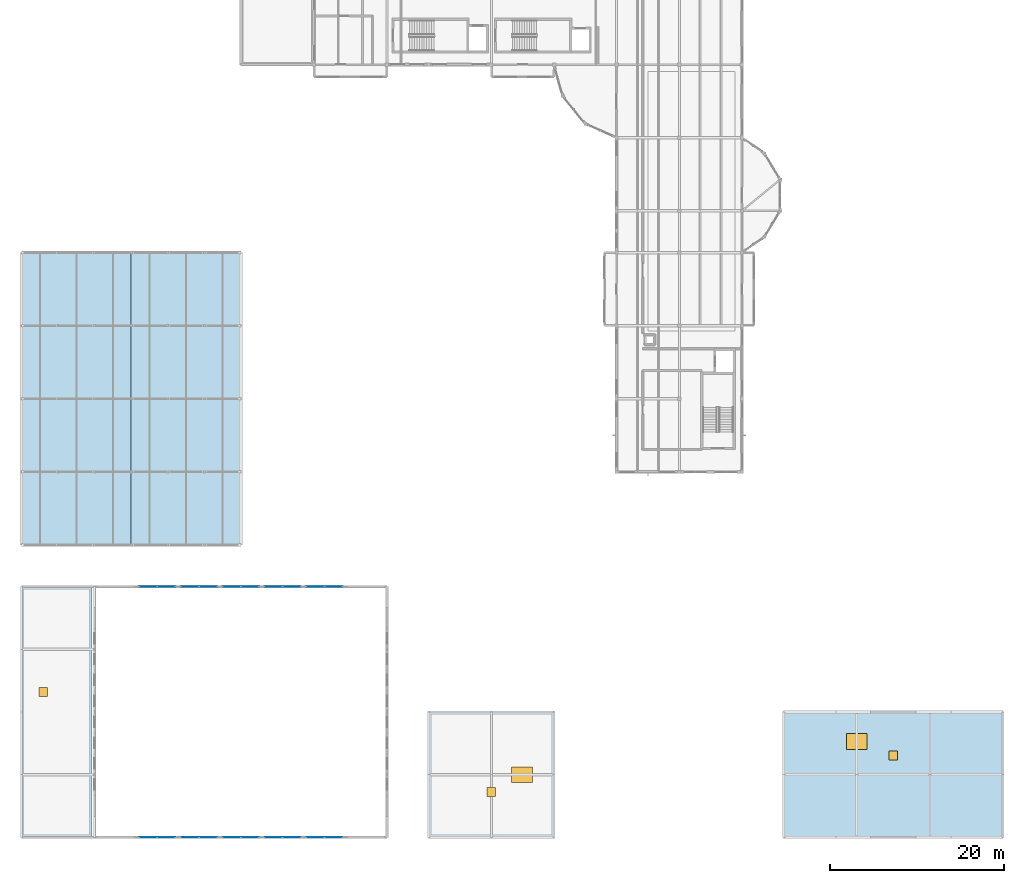
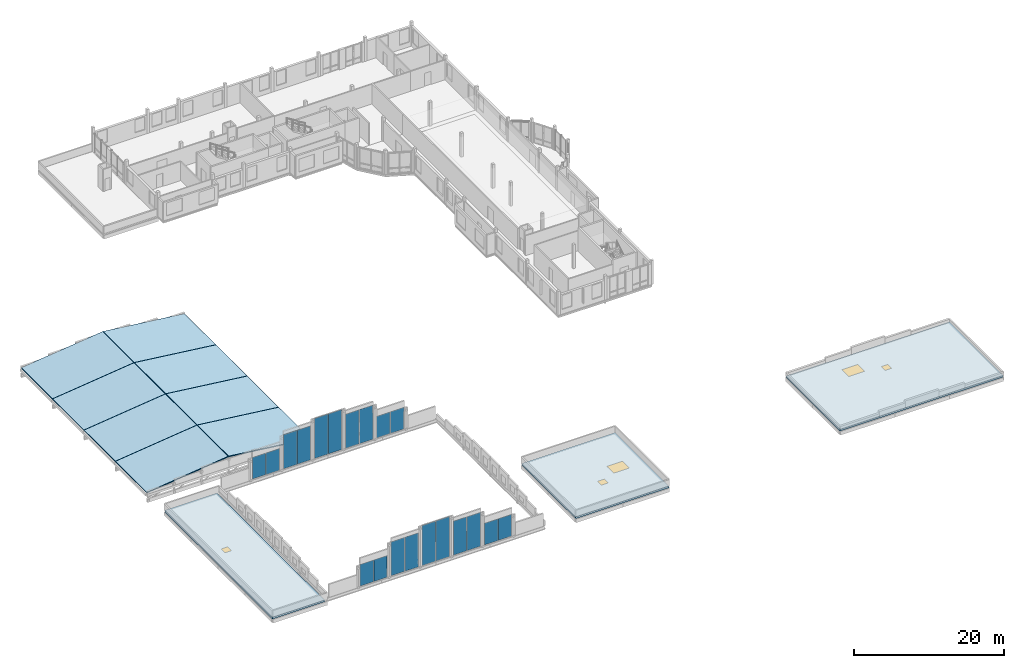
# One storey, part 20 of 34: 20 plates, 11 slabs, 3 doors, 2 windows, 5 openings, 10 elements without a shape of their own.
"""IFC4 building model written with IfcOpenShell, lengths in metres."""

from ifc_helpers import new_model, si_unit, direction, frame, origin, origin_2d, place, context, subcontext, project, spatial, polyline, rectangle, outline, extrude, material, layer, layer_set, type_object, element, fill, aggregate, save


model = new_model("IFC4")

# Units and contexts
model_context = context("Model", 3, precision=1e-05, world=origin(), true_north=direction((0.0, 1.0)))
body_context = subcontext(model_context, "Body", "Model", "MODEL_VIEW")
ifc_project = project(units=[si_unit("LENGTHUNIT", "METRE"), si_unit("AREAUNIT", "SQUARE_METRE"), si_unit("VOLUMEUNIT", "CUBIC_METRE"), si_unit("PLANEANGLEUNIT", "RADIAN"), si_unit("MASSUNIT", "GRAM", prefix="KILO")], contexts=[model_context])

# Site, building, storey
site_placement = place(None, origin())
site = spatial("IfcSite", under=ifc_project, at=site_placement, CompositionType="ELEMENT")
building_placement = place(site_placement, origin())
building = spatial("IfcBuilding", under=site, at=building_placement, Name="Kahlenmark Community Centre", CompositionType="ELEMENT")
storey_placement = place(building_placement, frame((0.0, 0.0, 17.699951171875)))
storey = spatial("IfcBuildingStorey", under=building, at=storey_placement, Name="L04", CompositionType="ELEMENT", Elevation=17.699951171875)

# Curtain wall, plates
ifc_material_1 = material(Name="Anodised aluminium unitised curtain wall", Category="aluminium")
curtain_wall_type_1 = type_object("IfcCurtainWallType", Name="CWT-UNIT-428X366", PredefinedType="USERDEFINED", material=ifc_material_1)
curtain_wall_1_placement = place(storey_placement, origin())
curtain_wall_1 = element("IfcCurtainWall", 1, at=curtain_wall_1_placement, inside=storey, type_object=curtain_wall_type_1, Name="Unitised curtain wall CW-191", ObjectType="UNITISED CURTAIN WALL", PredefinedType="USERDEFINED")
ifc_material_2 = material(Name="Triple low-e solar-control glass unit", Category="glass")
ifc_layer_1 = layer(ifc_material_2, 0.0439453125)
ifc_layer_set_1 = layer_set([ifc_layer_1], Name="Triple low-e solar-control glass unit")
plate_type_1 = type_object("IfcPlateType", Name="PLT-CW-GLZ-2060X3537", PredefinedType="CURTAIN_PANEL", material=ifc_layer_set_1)
plate_1_placement = place(storey_placement, frame((18.530029296875, 8.800048828125, 0.360107421875), z_axis=(0.0, 0.0, 1.0), x_axis=(1.0, 0.0, 0.0)))
plate_1 = element("IfcPlate", 2, at=plate_1_placement, type_object=plate_type_1, Name="CW-191 glazed panel 1", PredefinedType="CURTAIN_PANEL", context=body_context, shape_type="SweptSolid", body=[
    extrude(rectangle(XDim=2.06005859375, YDim=0.0439453125, at=origin_2d()), origin(), (0.0, 0.0, 1.0), 3.537109375),
])
plate_2_placement = place(storey_placement, frame((20.669921875, 8.800048828125, 0.360107421875), z_axis=(0.0, 0.0, 1.0), x_axis=(1.0, 0.0, 0.0)))
plate_2 = element("IfcPlate", 3, at=plate_2_placement, type_object=plate_type_1, Name="CW-191 glazed panel 2", PredefinedType="CURTAIN_PANEL", context=body_context, shape_type="SweptSolid", body=[
    extrude(rectangle(XDim=2.06005859375, YDim=0.0439453125, at=origin_2d()), origin(), (0.0, 0.0, 1.0), 3.537109375),
])
aggregate(curtain_wall_1, [plate_1, plate_2])

curtain_wall_2_placement = place(storey_placement, origin())
curtain_wall_2 = element("IfcCurtainWall", 4, at=curtain_wall_2_placement, inside=storey, type_object=curtain_wall_type_1, Name="Unitised curtain wall CW-195", ObjectType="UNITISED CURTAIN WALL", PredefinedType="USERDEFINED")
plate_3_placement = place(storey_placement, frame((37.72998046875, 8.800048828125, 0.360107421875), z_axis=(0.0, 0.0, 1.0), x_axis=(1.0, 0.0, 0.0)))
plate_3 = element("IfcPlate", 5, at=plate_3_placement, type_object=plate_type_1, Name="CW-195 glazed panel 1", PredefinedType="CURTAIN_PANEL", context=body_context, shape_type="SweptSolid", body=[
    extrude(rectangle(XDim=2.06005859375, YDim=0.0439453125, at=origin_2d()), origin(), (0.0, 0.0, 1.0), 3.537109375),
])
plate_4_placement = place(storey_placement, frame((39.8701171875, 8.800048828125, 0.360107421875), z_axis=(0.0, 0.0, 1.0), x_axis=(1.0, 0.0, 0.0)))
plate_4 = element("IfcPlate", 6, at=plate_4_placement, type_object=plate_type_1, Name="CW-195 glazed panel 2", PredefinedType="CURTAIN_PANEL", context=body_context, shape_type="SweptSolid", body=[
    extrude(rectangle(XDim=2.06005859375, YDim=0.0439453125, at=origin_2d()), origin(), (0.0, 0.0, 1.0), 3.537109375),
])
aggregate(curtain_wall_2, [plate_3, plate_4])

curtain_wall_3_placement = place(storey_placement, origin())
curtain_wall_3 = element("IfcCurtainWall", 7, at=curtain_wall_3_placement, inside=storey, type_object=curtain_wall_type_1, Name="Unitised curtain wall CW-196", ObjectType="UNITISED CURTAIN WALL", PredefinedType="USERDEFINED")
plate_5_placement = place(storey_placement, frame((18.530029296875, 37.60009765625, 0.360107421875), z_axis=(0.0, 0.0, 1.0), x_axis=(1.0, 0.0, 0.0)))
plate_5 = element("IfcPlate", 8, at=plate_5_placement, type_object=plate_type_1, Name="CW-196 glazed panel 1", PredefinedType="CURTAIN_PANEL", context=body_context, shape_type="SweptSolid", body=[
    extrude(rectangle(XDim=2.06005859375, YDim=0.0439453125, at=origin_2d()), origin(), (0.0, 0.0, 1.0), 3.537109375),
])
plate_6_placement = place(storey_placement, frame((20.669921875, 37.60009765625, 0.360107421875), z_axis=(0.0, 0.0, 1.0), x_axis=(1.0, 0.0, 0.0)))
plate_6 = element("IfcPlate", 9, at=plate_6_placement, type_object=plate_type_1, Name="CW-196 glazed panel 2", PredefinedType="CURTAIN_PANEL", context=body_context, shape_type="SweptSolid", body=[
    extrude(rectangle(XDim=2.06005859375, YDim=0.0439453125, at=origin_2d()), origin(), (0.0, 0.0, 1.0), 3.537109375),
])
aggregate(curtain_wall_3, [plate_5, plate_6])

curtain_wall_4_placement = place(storey_placement, origin())
curtain_wall_4 = element("IfcCurtainWall", 10, at=curtain_wall_4_placement, inside=storey, type_object=curtain_wall_type_1, Name="Unitised curtain wall CW-200", ObjectType="UNITISED CURTAIN WALL", PredefinedType="USERDEFINED")
plate_7_placement = place(storey_placement, frame((37.72998046875, 37.60009765625, 0.360107421875), z_axis=(0.0, 0.0, 1.0), x_axis=(1.0, 0.0, 0.0)))
plate_7 = element("IfcPlate", 11, at=plate_7_placement, type_object=plate_type_1, Name="CW-200 glazed panel 1", PredefinedType="CURTAIN_PANEL", context=body_context, shape_type="SweptSolid", body=[
    extrude(rectangle(XDim=2.06005859375, YDim=0.0439453125, at=origin_2d()), origin(), (0.0, 0.0, 1.0), 3.537109375),
])
plate_8_placement = place(storey_placement, frame((39.8701171875, 37.60009765625, 0.360107421875), z_axis=(0.0, 0.0, 1.0), x_axis=(1.0, 0.0, 0.0)))
plate_8 = element("IfcPlate", 12, at=plate_8_placement, type_object=plate_type_1, Name="CW-200 glazed panel 2", PredefinedType="CURTAIN_PANEL", context=body_context, shape_type="SweptSolid", body=[
    extrude(rectangle(XDim=2.06005859375, YDim=0.0439453125, at=origin_2d()), origin(), (0.0, 0.0, 1.0), 3.537109375),
])
aggregate(curtain_wall_4, [plate_7, plate_8])

curtain_wall_type_2 = type_object("IfcCurtainWallType", Name="CWT-UNIT-428X568", PredefinedType="USERDEFINED", material=ifc_material_1)
curtain_wall_5_placement = place(storey_placement, origin())
curtain_wall_5 = element("IfcCurtainWall", 13, at=curtain_wall_5_placement, inside=storey, type_object=curtain_wall_type_2, Name="Unitised curtain wall CW-192", ObjectType="UNITISED CURTAIN WALL", PredefinedType="USERDEFINED")
ifc_layer_2 = layer(ifc_material_2, 0.0439453125)
ifc_layer_set_2 = layer_set([ifc_layer_2], Name="Triple low-e solar-control glass unit")
plate_type_2 = type_object("IfcPlateType", Name="PLT-CW-GLZ-2060X5560", PredefinedType="CURTAIN_PANEL", material=ifc_layer_set_2)
plate_9_placement = place(storey_placement, frame((23.330078125, 8.800048828125, 0.360107421875), z_axis=(0.0, 0.0, 1.0), x_axis=(1.0, 0.0, 0.0)))
plate_9 = element("IfcPlate", 14, at=plate_9_placement, type_object=plate_type_2, Name="CW-192 glazed panel 1", PredefinedType="CURTAIN_PANEL", context=body_context, shape_type="SweptSolid", body=[
    extrude(rectangle(XDim=2.06005859375, YDim=0.0439453125, at=origin_2d()), origin(), (0.0, 0.0, 1.0), 5.5595703125),
])
plate_10_placement = place(storey_placement, frame((25.469970703125, 8.800048828125, 0.360107421875), z_axis=(0.0, 0.0, 1.0), x_axis=(1.0, 0.0, 0.0)))
plate_10 = element("IfcPlate", 15, at=plate_10_placement, type_object=plate_type_2, Name="CW-192 glazed panel 2", PredefinedType="CURTAIN_PANEL", context=body_context, shape_type="SweptSolid", body=[
    extrude(rectangle(XDim=2.06005859375, YDim=0.0439453125, at=origin_2d()), origin(), (0.0, 0.0, 1.0), 5.5595703125),
])
aggregate(curtain_wall_5, [plate_9, plate_10])

curtain_wall_6_placement = place(storey_placement, origin())
curtain_wall_6 = element("IfcCurtainWall", 16, at=curtain_wall_6_placement, inside=storey, type_object=curtain_wall_type_2, Name="Unitised curtain wall CW-194", ObjectType="UNITISED CURTAIN WALL", PredefinedType="USERDEFINED")
plate_11_placement = place(storey_placement, frame((32.929931640625, 8.800048828125, 0.360107421875), z_axis=(0.0, 0.0, 1.0), x_axis=(1.0, 0.0, 0.0)))
plate_11 = element("IfcPlate", 17, at=plate_11_placement, type_object=plate_type_2, Name="CW-194 glazed panel 1", PredefinedType="CURTAIN_PANEL", context=body_context, shape_type="SweptSolid", body=[
    extrude(rectangle(XDim=2.06005859375, YDim=0.0439453125, at=origin_2d()), origin(), (0.0, 0.0, 1.0), 5.5595703125),
])
plate_12_placement = place(storey_placement, frame((35.070068359375, 8.800048828125, 0.360107421875), z_axis=(0.0, 0.0, 1.0), x_axis=(1.0, 0.0, 0.0)))
plate_12 = element("IfcPlate", 18, at=plate_12_placement, type_object=plate_type_2, Name="CW-194 glazed panel 2", PredefinedType="CURTAIN_PANEL", context=body_context, shape_type="SweptSolid", body=[
    extrude(rectangle(XDim=2.06005859375, YDim=0.0439453125, at=origin_2d()), origin(), (0.0, 0.0, 1.0), 5.5595703125),
])
aggregate(curtain_wall_6, [plate_11, plate_12])

curtain_wall_7_placement = place(storey_placement, origin())
curtain_wall_7 = element("IfcCurtainWall", 19, at=curtain_wall_7_placement, inside=storey, type_object=curtain_wall_type_2, Name="Unitised curtain wall CW-197", ObjectType="UNITISED CURTAIN WALL", PredefinedType="USERDEFINED")
plate_13_placement = place(storey_placement, frame((23.330078125, 37.60009765625, 0.360107421875), z_axis=(0.0, 0.0, 1.0), x_axis=(1.0, 0.0, 0.0)))
plate_13 = element("IfcPlate", 20, at=plate_13_placement, type_object=plate_type_2, Name="CW-197 glazed panel 1", PredefinedType="CURTAIN_PANEL", context=body_context, shape_type="SweptSolid", body=[
    extrude(rectangle(XDim=2.06005859375, YDim=0.0439453125, at=origin_2d()), origin(), (0.0, 0.0, 1.0), 5.5595703125),
])
plate_14_placement = place(storey_placement, frame((25.469970703125, 37.60009765625, 0.360107421875), z_axis=(0.0, 0.0, 1.0), x_axis=(1.0, 0.0, 0.0)))
plate_14 = element("IfcPlate", 21, at=plate_14_placement, type_object=plate_type_2, Name="CW-197 glazed panel 2", PredefinedType="CURTAIN_PANEL", context=body_context, shape_type="SweptSolid", body=[
    extrude(rectangle(XDim=2.06005859375, YDim=0.0439453125, at=origin_2d()), origin(), (0.0, 0.0, 1.0), 5.5595703125),
])
aggregate(curtain_wall_7, [plate_13, plate_14])

curtain_wall_8_placement = place(storey_placement, origin())
curtain_wall_8 = element("IfcCurtainWall", 22, at=curtain_wall_8_placement, inside=storey, type_object=curtain_wall_type_2, Name="Unitised curtain wall CW-199", ObjectType="UNITISED CURTAIN WALL", PredefinedType="USERDEFINED")
plate_15_placement = place(storey_placement, frame((32.929931640625, 37.60009765625, 0.360107421875), z_axis=(0.0, 0.0, 1.0), x_axis=(1.0, 0.0, 0.0)))
plate_15 = element("IfcPlate", 23, at=plate_15_placement, type_object=plate_type_2, Name="CW-199 glazed panel 1", PredefinedType="CURTAIN_PANEL", context=body_context, shape_type="SweptSolid", body=[
    extrude(rectangle(XDim=2.06005859375, YDim=0.0439453125, at=origin_2d()), origin(), (0.0, 0.0, 1.0), 5.5595703125),
])
plate_16_placement = place(storey_placement, frame((35.070068359375, 37.60009765625, 0.360107421875), z_axis=(0.0, 0.0, 1.0), x_axis=(1.0, 0.0, 0.0)))
plate_16 = element("IfcPlate", 24, at=plate_16_placement, type_object=plate_type_2, Name="CW-199 glazed panel 2", PredefinedType="CURTAIN_PANEL", context=body_context, shape_type="SweptSolid", body=[
    extrude(rectangle(XDim=2.06005859375, YDim=0.0439453125, at=origin_2d()), origin(), (0.0, 0.0, 1.0), 5.5595703125),
])
aggregate(curtain_wall_8, [plate_15, plate_16])

curtain_wall_type_3 = type_object("IfcCurtainWallType", Name="CWT-UNIT-428X666", PredefinedType="USERDEFINED", material=ifc_material_1)
curtain_wall_9_placement = place(storey_placement, origin())
curtain_wall_9 = element("IfcCurtainWall", 25, at=curtain_wall_9_placement, inside=storey, type_object=curtain_wall_type_3, Name="Unitised curtain wall CW-193", ObjectType="UNITISED CURTAIN WALL", PredefinedType="USERDEFINED")
ifc_layer_3 = layer(ifc_material_2, 0.0439453125)
ifc_layer_set_3 = layer_set([ifc_layer_3], Name="Triple low-e solar-control glass unit")
plate_type_3 = type_object("IfcPlateType", Name="PLT-CW-GLZ-2060X6543", PredefinedType="CURTAIN_PANEL", material=ifc_layer_set_3)
plate_17_placement = place(storey_placement, frame((28.1298828125, 8.800048828125, 0.360107421875), z_axis=(0.0, 0.0, 1.0), x_axis=(1.0, 0.0, 0.0)))
plate_17 = element("IfcPlate", 26, at=plate_17_placement, type_object=plate_type_3, Name="CW-193 glazed panel 1", PredefinedType="CURTAIN_PANEL", context=body_context, shape_type="SweptSolid", body=[
    extrude(rectangle(XDim=2.06005859375, YDim=0.0439453125, at=origin_2d()), origin(), (0.0, 0.0, 1.0), 6.54248046875),
])
plate_18_placement = place(storey_placement, frame((30.27001953125, 8.800048828125, 0.360107421875), z_axis=(0.0, 0.0, 1.0), x_axis=(1.0, 0.0, 0.0)))
plate_18 = element("IfcPlate", 27, at=plate_18_placement, type_object=plate_type_3, Name="CW-193 glazed panel 2", PredefinedType="CURTAIN_PANEL", context=body_context, shape_type="SweptSolid", body=[
    extrude(rectangle(XDim=2.06005859375, YDim=0.0439453125, at=origin_2d()), origin(), (0.0, 0.0, 1.0), 6.54248046875),
])
aggregate(curtain_wall_9, [plate_17, plate_18])

curtain_wall_10_placement = place(storey_placement, origin())
curtain_wall_10 = element("IfcCurtainWall", 28, at=curtain_wall_10_placement, inside=storey, type_object=curtain_wall_type_3, Name="Unitised curtain wall CW-198", ObjectType="UNITISED CURTAIN WALL", PredefinedType="USERDEFINED")
plate_19_placement = place(storey_placement, frame((28.1298828125, 37.60009765625, 0.360107421875), z_axis=(0.0, 0.0, 1.0), x_axis=(1.0, 0.0, 0.0)))
plate_19 = element("IfcPlate", 29, at=plate_19_placement, type_object=plate_type_3, Name="CW-198 glazed panel 1", PredefinedType="CURTAIN_PANEL", context=body_context, shape_type="SweptSolid", body=[
    extrude(rectangle(XDim=2.06005859375, YDim=0.0439453125, at=origin_2d()), origin(), (0.0, 0.0, 1.0), 6.54248046875),
])
plate_20_placement = place(storey_placement, frame((30.27001953125, 37.60009765625, 0.360107421875), z_axis=(0.0, 0.0, 1.0), x_axis=(1.0, 0.0, 0.0)))
plate_20 = element("IfcPlate", 30, at=plate_20_placement, type_object=plate_type_3, Name="CW-198 glazed panel 2", PredefinedType="CURTAIN_PANEL", context=body_context, shape_type="SweptSolid", body=[
    extrude(rectangle(XDim=2.06005859375, YDim=0.0439453125, at=origin_2d()), origin(), (0.0, 0.0, 1.0), 6.54248046875),
])
aggregate(curtain_wall_10, [plate_19, plate_20])

# Slabs
ifc_material_3 = material(Name="Cross-laminated timber CLT C24", Category="wood")
ifc_layer_4 = layer(ifc_material_3, 0.159912109375)
ifc_layer_set_4 = layer_set([ifc_layer_4], Name="Cross-laminated timber CLT C24")
slab_type_1 = type_object("IfcSlabType", Name="ST-RF-CLT160", PredefinedType="ROOF", material=ifc_layer_set_4)
for number, where, z_axis, x_axis, name in (
    (31, (4.0, 42.409912109375, 0.0), (-0.118202920709, 0.0, 0.992989460939), (0.992989460939, 0.0, 0.118202920709), "Sports Hall west pitched roof 42.4"),
    (32, (16.639892578125, 42.409912109375, 1.4951171875), (0.118202920709, 0.0, 0.992989460939), (0.992989460939, 0.0, -0.118202920709), "Sports Hall east pitched roof 42.4"),
):
    element("IfcSlab", number, at=place(storey_placement, frame(where, z_axis=z_axis, x_axis=x_axis)), inside=storey, type_object=slab_type_1, Name=name, PredefinedType="ROOF", context=body_context, shape_type="SweptSolid", body=[
        extrude(outline(polyline([(0.0, 0.0), (12.64873303073439, 0.0), (12.64873303073439, 8.380126953125), (0.0, 8.380126953125), (0.0, 0.0)])), origin(), (0.0, 0.0, -1.0), 0.159912109375),
    ])
for number, where, z_axis, x_axis, name in (
    (33, (4.0, 50.81005859375, 0.0), (-0.118202920709, 0.0, 0.992989460939), (0.992989460939, 0.0, 0.118202920709), "Sports Hall west pitched roof 50.8"),
    (34, (16.639892578125, 50.81005859375, 1.4951171875), (0.118202920709, 0.0, 0.992989460939), (0.992989460939, 0.0, -0.118202920709), "Sports Hall east pitched roof 50.8"),
):
    element("IfcSlab", number, at=place(storey_placement, frame(where, z_axis=z_axis, x_axis=x_axis)), inside=storey, type_object=slab_type_1, Name=name, PredefinedType="ROOF", context=body_context, shape_type="SweptSolid", body=[
        extrude(outline(polyline([(0.0, 0.0), (12.64873303073439, 0.0), (12.64873303073439, 8.3798828125), (0.0, 8.3798828125), (0.0, 0.0)])), origin(), (0.0, 0.0, -1.0), 0.159912109375),
    ])
for number, where, z_axis, x_axis, name in (
    (35, (4.0, 59.2099609375, 0.0), (-0.118202920709, 0.0, 0.992989460939), (0.992989460939, 0.0, 0.118202920709), "Sports Hall west pitched roof 59.2"),
    (36, (16.639892578125, 59.2099609375, 1.4951171875), (0.118202920709, 0.0, 0.992989460939), (0.992989460939, 0.0, -0.118202920709), "Sports Hall east pitched roof 59.2"),
):
    element("IfcSlab", number, at=place(storey_placement, frame(where, z_axis=z_axis, x_axis=x_axis)), inside=storey, type_object=slab_type_1, Name=name, PredefinedType="ROOF", context=body_context, shape_type="SweptSolid", body=[
        extrude(outline(polyline([(0.0, 0.0), (12.64873303073439, 0.0), (12.64873303073439, 8.380126953125), (0.0, 8.380126953125), (0.0, 0.0)])), origin(), (0.0, 0.0, -1.0), 0.159912109375),
    ])
for number, where, z_axis, x_axis, name in (
    (37, (4.0, 67.610107421875, 0.0), (-0.118202920709, 0.0, 0.992989460939), (0.992989460939, 0.0, 0.118202920709), "Sports Hall west pitched roof 67.6"),
    (38, (16.639892578125, 67.610107421875, 1.4951171875), (0.118202920709, 0.0, 0.992989460939), (0.992989460939, 0.0, -0.118202920709), "Sports Hall east pitched roof 67.6"),
):
    element("IfcSlab", number, at=place(storey_placement, frame(where, z_axis=z_axis, x_axis=x_axis)), inside=storey, type_object=slab_type_1, Name=name, PredefinedType="ROOF", context=body_context, shape_type="SweptSolid", body=[
        extrude(outline(polyline([(0.0, 0.0), (12.64873303073439, 0.0), (12.64873303073439, 8.3798828125), (0.0, 8.3798828125), (0.0, 0.0)])), origin(), (0.0, 0.0, -1.0), 0.159912109375),
    ])

# Slab, opening, door
ifc_layer_5 = layer(ifc_material_3, 0.280029296875)
ifc_layer_set_5 = layer_set([ifc_layer_5], Name="Cross-laminated timber CLT C24")
slab_type_2 = type_object("IfcSlabType", Name="ST-RF-FLAT280", PredefinedType="ROOF", material=ifc_layer_set_5)
slab_1_placement = place(storey_placement, frame((0.0, 0.0, -0.280029296875)))
slab_1 = element("IfcSlab", 39, at=slab_1_placement, inside=storey, type_object=slab_type_2, Name="Flat insulated roof deck RF-L04-V1WEST", PredefinedType="ROOF", context=body_context, shape_type="SweptSolid", body=[
    extrude(outline(polyline([(4.0, 8.800048828125), (12.050048828125, 8.800048828125), (12.050048828125, 37.60009765625), (4.0, 37.60009765625), (4.0, 8.800048828125)])), origin(), (0.0, 0.0, 1.0), 0.280029296875),
])
opening_1_placement = place(slab_1_placement, frame((6.5, 25.5, -0.010009765625)))
opening_1 = element("IfcOpeningElement", 40, at=opening_1_placement, cuts=slab_1, Name="Opening RH-100", PredefinedType="OPENING", context=body_context, shape_type="SweptSolid", body=[
    extrude(rectangle(XDim=1.0, YDim=1.0, at=origin_2d()), origin(), (0.0, 0.0, 1.0), 0.300048828125),
])
ifc_material_4 = material(Name="Insulated aluminium roof maintenance hatch", Category="aluminium")
door_type = type_object("IfcDoorType", Name="DT-HATCH-100X100", OperationType="NOTDEFINED", PredefinedType="TRAPDOOR", material=ifc_material_4)
door_1_placement = place(slab_1_placement, frame((6.5, 25.5, 0.22998046875)))
door_1 = element("IfcDoor", 41, at=door_1_placement, inside=storey, type_object=door_type, Name="Roof maintenance hatch RH-04", OperationType="SINGLE_SWING_LEFT", OverallHeight=1.0, OverallWidth=1.0, PredefinedType="TRAPDOOR", context=body_context, shape_type="SweptSolid", body=[
    extrude(rectangle(XDim=1.0, YDim=1.0, at=origin_2d()), origin(), (0.0, 0.0, 1.0), 0.050048828125),
])
fill(opening_1, door_1)

# Slab, openings, door, window
slab_2_placement = place(storey_placement, frame((0.0, 0.0, -0.280029296875)))
slab_2 = element("IfcSlab", 42, at=slab_2_placement, inside=storey, type_object=slab_type_2, Name="Flat insulated roof deck RF-L04-V3PAV", PredefinedType="ROOF", context=body_context, shape_type="SweptSolid", body=[
    extrude(outline(polyline([(50.800048828125, 8.800048828125), (65.199951171875, 8.800048828125), (65.199951171875, 23.199951171875), (50.800048828125, 23.199951171875), (50.800048828125, 8.800048828125)])), origin(), (0.0, 0.0, 1.0), 0.280029296875),
])
opening_2_placement = place(slab_2_placement, frame((58.0, 14.0, -0.010009765625)))
opening_2 = element("IfcOpeningElement", 43, at=opening_2_placement, cuts=slab_2, Name="Opening RH-100", PredefinedType="OPENING", context=body_context, shape_type="SweptSolid", body=[
    extrude(rectangle(XDim=1.0, YDim=1.0, at=origin_2d()), origin(), (0.0, 0.0, 1.0), 0.300048828125),
])
opening_3_placement = place(slab_2_placement, frame((61.5, 16.0, -0.010009765625)))
opening_3 = element("IfcOpeningElement", 44, at=opening_3_placement, cuts=slab_2, Name="Opening SK-RF1", PredefinedType="OPENING", context=body_context, shape_type="SweptSolid", body=[
    extrude(rectangle(XDim=2.39990234375, YDim=1.800048828125, at=origin_2d()), origin(), (0.0, 0.0, 1.0), 0.300048828125),
])
door_2_placement = place(slab_2_placement, frame((58.0, 14.0, 0.22998046875)))
door_2 = element("IfcDoor", 45, at=door_2_placement, inside=storey, type_object=door_type, Name="Roof maintenance hatch RH-05", OperationType="SINGLE_SWING_LEFT", OverallHeight=1.0, OverallWidth=1.0, PredefinedType="TRAPDOOR", context=body_context, shape_type="SweptSolid", body=[
    extrude(rectangle(XDim=1.0, YDim=1.0, at=origin_2d()), origin(), (0.0, 0.0, 1.0), 0.050048828125),
])
fill(opening_2, door_2)
ifc_material_5 = material(Name="Laminated safety roof-light triple glazing", Category="glass")
window_type = type_object("IfcWindowType", Name="WNT-SK-ROOF", PartitioningType="DOUBLE_PANEL_VERTICAL", PredefinedType="SKYLIGHT", material=ifc_material_5)
window_1_placement = place(slab_2_placement, frame((61.5, 16.0, 0.22998046875)))
window_1 = element("IfcWindow", 46, at=window_1_placement, inside=storey, type_object=window_type, Name="Flat roof skylight SK-05", OverallHeight=1.800048828125, OverallWidth=2.39990234375, PartitioningType="DOUBLE_PANEL_VERTICAL", PredefinedType="SKYLIGHT", context=body_context, shape_type="SweptSolid", body=[
    extrude(rectangle(XDim=2.39990234375, YDim=1.800048828125, at=origin_2d()), origin(), (0.0, 0.0, 1.0), 0.050048828125),
])
fill(opening_3, window_1)

slab_3_placement = place(storey_placement, frame((0.0, 0.0, -0.280029296875)))
slab_3 = element("IfcSlab", 47, at=slab_3_placement, inside=storey, type_object=slab_type_2, Name="Flat insulated roof deck RF-L04-V4W", PredefinedType="ROOF", context=body_context, shape_type="SweptSolid", body=[
    extrude(outline(polyline([(91.60009765625, 8.800048828125), (116.800048828125, 8.800048828125), (116.800048828125, 23.199951171875), (91.60009765625, 23.199951171875), (91.60009765625, 8.800048828125)])), origin(), (0.0, 0.0, 1.0), 0.280029296875),
])
opening_4_placement = place(slab_3_placement, frame((104.199951171875, 18.199951171875, -0.010009765625)))
opening_4 = element("IfcOpeningElement", 48, at=opening_4_placement, cuts=slab_3, Name="Opening RH-100", PredefinedType="OPENING", context=body_context, shape_type="SweptSolid", body=[
    extrude(rectangle(XDim=1.0, YDim=1.0, at=origin_2d()), origin(), (0.0, 0.0, 1.0), 0.300048828125),
])
opening_5_placement = place(slab_3_placement, frame((100.0, 19.800048828125, -0.010009765625)))
opening_5 = element("IfcOpeningElement", 49, at=opening_5_placement, cuts=slab_3, Name="Opening SK-RF1", PredefinedType="OPENING", context=body_context, shape_type="SweptSolid", body=[
    extrude(rectangle(XDim=2.39990234375, YDim=1.800048828125, at=origin_2d()), origin(), (0.0, 0.0, 1.0), 0.300048828125),
])
door_3_placement = place(slab_3_placement, frame((104.199951171875, 18.199951171875, 0.22998046875)))
door_3 = element("IfcDoor", 50, at=door_3_placement, inside=storey, type_object=door_type, Name="Roof maintenance hatch RH-06", OperationType="SINGLE_SWING_LEFT", OverallHeight=1.0, OverallWidth=1.0, PredefinedType="TRAPDOOR", context=body_context, shape_type="SweptSolid", body=[
    extrude(rectangle(XDim=1.0, YDim=1.0, at=origin_2d()), origin(), (0.0, 0.0, 1.0), 0.050048828125),
])
fill(opening_4, door_3)
window_2_placement = place(slab_3_placement, frame((100.0, 19.800048828125, 0.22998046875)))
window_2 = element("IfcWindow", 51, at=window_2_placement, inside=storey, type_object=window_type, Name="Flat roof skylight SK-06", OverallHeight=1.800048828125, OverallWidth=2.39990234375, PartitioningType="DOUBLE_PANEL_VERTICAL", PredefinedType="SKYLIGHT", context=body_context, shape_type="SweptSolid", body=[
    extrude(rectangle(XDim=2.39990234375, YDim=1.800048828125, at=origin_2d()), origin(), (0.0, 0.0, 1.0), 0.050048828125),
])
fill(opening_5, window_2)

save(model, "model.ifc")
